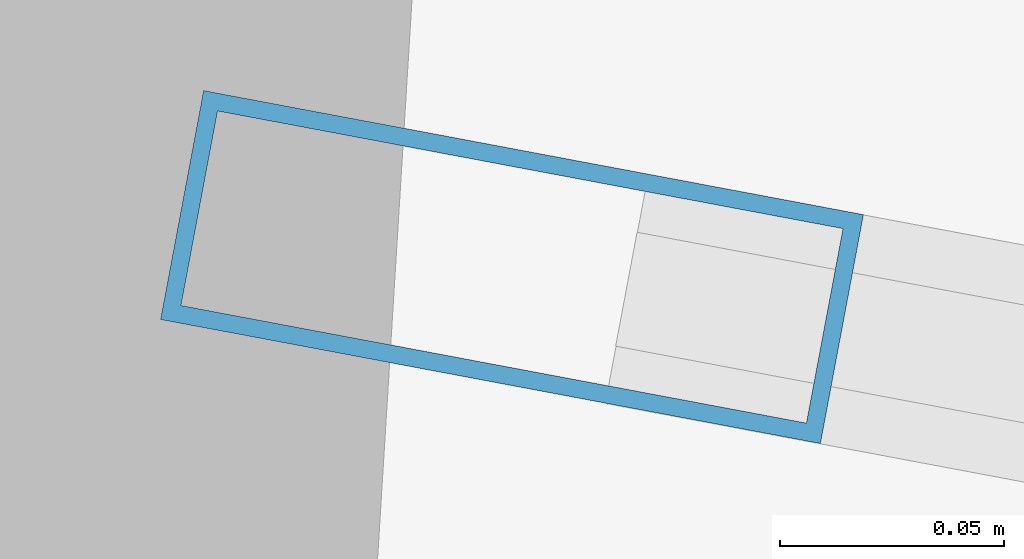
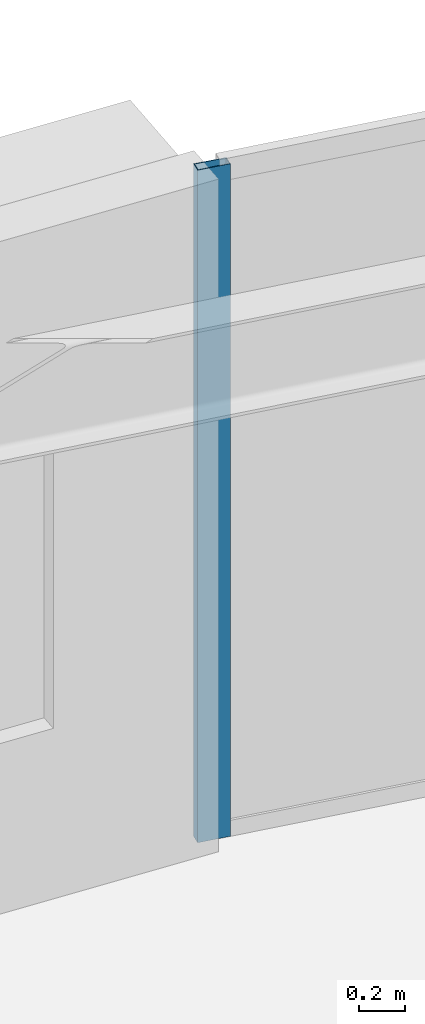
# One storey, part 5 of 19: 1 member, 1 element without a shape of its own.
"""IFC4 building model written with IfcOpenShell, lengths in metres."""

import ifcopenshell
import ifcopenshell.guid

model = None  # the IFC model being written
_history = None  # IfcOwnerHistory: only IFC2X3 demands one
_inside = {}  # id of a spatial element -> (the spatial element, [elements in it])
_under = {}  # id of a project, library or spatial element -> (it, [spatial elements below it])
_declared = {}  # id of a project -> (the project, [libraries it declares])
_typed = {}  # id of a type object -> (the type object, [elements of that type])
_made_of = {}  # id of a material, layer set ... -> (it, [elements and type objects made of it])


def new_model(schema):
    """Start an empty IFC model of exactly this schema.

    Asked for "IFC4X3", IfcOpenShell would pick the latest addendum, in which some entities
    have other attributes; the version numbers below select the first issue.
    IFC2X3 requires an IfcOwnerHistory on every rooted entity: one is made here for all.
    """
    global model, _history
    if schema == "IFC4X3":
        model = ifcopenshell.file(schema_version=(4, 3, 0, 0))
    else:
        model = ifcopenshell.file(schema=schema)
    _inside.clear()
    _under.clear()
    _declared.clear()
    _typed.clear()
    _made_of.clear()
    _history = None
    if model.schema == "IFC2X3":
        org = make("IfcOrganization", Name="unknown")
        user = make(
            "IfcPersonAndOrganization",
            ThePerson=make("IfcPerson", FamilyName="unknown"),
            TheOrganization=org,
        )
        app = make(
            "IfcApplication",
            ApplicationDeveloper=org,
            Version="unknown",
            ApplicationFullName="unknown",
            ApplicationIdentifier="unknown",
        )
        _history = make(
            "IfcOwnerHistory",
            OwningUser=user,
            OwningApplication=app,
            ChangeAction="ADDED",
            CreationDate=0,
        )
    return model


def make(cls, **values):
    """One entity of the class cls with the attributes given. An attribute that is None is left unset."""
    return model.create_entity(
        cls, **{name: value for name, value in values.items() if value is not None}
    )


def rooted(cls, **values):
    """An entity with a GlobalId (a new one), such as an element, a storey or a relation."""
    return make(cls, GlobalId=ifcopenshell.guid.new(), OwnerHistory=_history, **values)


def si_unit(unit_type, name, prefix=None):
    """IfcSIUnit, for example si_unit("LENGTHUNIT", "METRE", prefix="MILLI")."""
    return make("IfcSIUnit", UnitType=unit_type, Prefix=prefix, Name=name)


def assignment(units):
    """IfcUnitAssignment: the units of a project."""
    return None if units is None else make("IfcUnitAssignment", Units=units)


def point(xyz):
    """IfcCartesianPoint."""
    return None if xyz is None else make("IfcCartesianPoint", Coordinates=xyz)


def direction(xyz):
    """IfcDirection."""
    return None if xyz is None else make("IfcDirection", DirectionRatios=xyz)


def frame(location, z_axis=None, x_axis=None):
    """IfcAxis2Placement3D, a coordinate frame: its origin and axes. An axis left out is left unset."""
    return make(
        "IfcAxis2Placement3D",
        Location=point(location),
        Axis=direction(z_axis),
        RefDirection=direction(x_axis),
    )


def frame_2d(location, x_axis=None):
    """IfcAxis2Placement2D, a coordinate frame in the plane: its origin and x axis."""
    return make(
        "IfcAxis2Placement2D", Location=point(location), RefDirection=direction(x_axis)
    )


def origin():
    """The frame at (0, 0, 0) with its axes left unset."""
    return frame((0.0, 0.0, 0.0))


def origin_2d():
    """The frame at (0, 0) in the plane with its x axis left unset."""
    return frame_2d((0.0, 0.0))


def place(relative_to, where):
    """IfcLocalPlacement: puts the frame where relative to a parent placement (None: the world)."""
    return make(
        "IfcLocalPlacement", PlacementRelTo=relative_to, RelativePlacement=where
    )


def context(
    kind, dimensions, precision=None, world=None, true_north=None, identifier=None
):
    """IfcGeometricRepresentationContext, for example the 3D "Model" context."""
    return make(
        "IfcGeometricRepresentationContext",
        ContextIdentifier=identifier,
        ContextType=kind,
        CoordinateSpaceDimension=dimensions,
        Precision=precision,
        WorldCoordinateSystem=world,
        TrueNorth=true_north,
    )


def subcontext(parent, identifier, kind, view, scale=None):
    """IfcGeometricRepresentationSubContext, for example "Body" below "Model"."""
    return make(
        "IfcGeometricRepresentationSubContext",
        ContextIdentifier=identifier,
        ContextType=kind,
        ParentContext=parent,
        TargetScale=scale,
        TargetView=view,
    )


def project(units=None, contexts=None):
    """IfcProject with its units and contexts."""
    return rooted(
        "IfcProject",
        Name="project",
        RepresentationContexts=contexts,
        UnitsInContext=assignment(units),
    )


def spatial(cls, under=None, at=None, **own):
    """A site, building, storey or space (cls), placed at a placement, below another one or the project."""
    s = rooted(cls, ObjectPlacement=at, **own)
    if under is not None:
        _under.setdefault(under.id(), (under, []))[1].append(s)
    return s


def profile(cls, at=None, kind="AREA", **sizes):
    """A parametric profile (cls). Its sizes go by their IFC names, for example OverallWidth=200.0."""
    return make(cls, ProfileType=kind, Position=at, **sizes)


def hollow_rectangle(**sizes):
    """IfcRectangleHollowProfileDef."""
    return profile("IfcRectangleHollowProfileDef", **sizes)


def extrude(swept, where, along, depth):
    """IfcExtrudedAreaSolid: the profile swept, set in the frame where, extruded along a direction by depth."""
    return make(
        "IfcExtrudedAreaSolid",
        SweptArea=swept,
        Position=where,
        ExtrudedDirection=direction(along),
        Depth=depth,
    )


def shape(context_of_items, identifier, shape_type, items):
    """IfcShapeRepresentation: the items that make up one representation, for example the "Body"."""
    return make(
        "IfcShapeRepresentation",
        ContextOfItems=context_of_items,
        RepresentationIdentifier=identifier,
        RepresentationType=shape_type,
        Items=items,
    )


def source(mapping_origin, context_of_items, identifier, shape_type, items):
    """IfcRepresentationMap: a shape defined once, which mapped items show again and again."""
    return make(
        "IfcRepresentationMap",
        MappingOrigin=mapping_origin,
        MappedRepresentation=shape(context_of_items, identifier, shape_type, items),
    )


def transform(
    local_origin,
    x_axis=None,
    y_axis=None,
    z_axis=None,
    scale=None,
    scale2=None,
    scale3=None,
    uniform=True,
):
    """IfcCartesianTransformationOperator3D, or its non-uniform kind. x_axis, y_axis, z_axis: its Axis1, 2, 3."""
    if uniform:
        return make(
            "IfcCartesianTransformationOperator3D",
            Axis1=direction(x_axis),
            Axis2=direction(y_axis),
            LocalOrigin=point(local_origin),
            Scale=scale,
            Axis3=direction(z_axis),
        )
    return make(
        "IfcCartesianTransformationOperator3DnonUniform",
        Axis1=direction(x_axis),
        Axis2=direction(y_axis),
        LocalOrigin=point(local_origin),
        Scale=scale,
        Axis3=direction(z_axis),
        Scale2=scale2,
        Scale3=scale3,
    )


def mapped(mapping_source, mapping_target):
    """IfcMappedItem: shows the shape of a source again, moved by a transform."""
    return make(
        "IfcMappedItem", MappingSource=mapping_source, MappingTarget=mapping_target
    )


def material(Name=None, Category=None):
    """IfcMaterial."""
    return make("IfcMaterial", Name=Name, Category=Category)


def layer(
    of_material, thickness, ventilated=None, Name=None, Category=None, Priority=None
):
    """IfcMaterialLayer: one layer of a wall or slab, of a material (None: an air gap)."""
    return make(
        "IfcMaterialLayer",
        Material=of_material,
        LayerThickness=thickness,
        IsVentilated=ventilated,
        Name=Name,
        Category=Category,
        Priority=Priority,
    )


def layer_set(layers, Name=None):
    """IfcMaterialLayerSet."""
    return make("IfcMaterialLayerSet", MaterialLayers=layers, LayerSetName=Name)


def material_profile(
    of_material, cross_section, Name=None, Category=None, Priority=None
):
    """IfcMaterialProfile: a cross section and its material."""
    return make(
        "IfcMaterialProfile",
        Name=Name,
        Material=of_material,
        Profile=cross_section,
        Priority=Priority,
        Category=Category,
    )


def profile_set(profiles, Name=None, composite=None):
    """IfcMaterialProfileSet."""
    return make(
        "IfcMaterialProfileSet",
        Name=Name,
        MaterialProfiles=profiles,
        CompositeProfile=composite,
    )


def made_of(thing, what):
    """Note that an element or type object is made of a material, layer set ...; save() writes the relation."""
    if what is not None:
        _made_of.setdefault(what.id(), (what, []))[1].append(thing)
    return thing


def type_object(cls, material=None, **own):
    """A type object (cls), such as IfcWallType, which elements share."""
    return made_of(rooted(cls, **own), material)


def element(
    cls,
    number,
    at=None,
    inside=None,
    cuts=None,
    type_object=None,
    material=None,
    context=None,
    identifier="Body",
    shape_type=None,
    held_by="IfcProductDefinitionShape",
    body=None,
    shapes=None,
    **own,
):
    """One element of the class cls, such as IfcWall. Its Tag is "e" and its number.

    at: its placement. inside: the storey or other place that contains it. cuts: it is an
    opening in that element (IfcRelVoidsElement). A single representation is given by context,
    identifier, shape_type and body (its items); several are given by shapes. held_by: the class
    of the entity that holds the representations. save() writes the other relations.
    """
    e = rooted(cls, Tag="e%d" % number, ObjectPlacement=at, **own)
    if body is not None:
        shapes = [shape(context, identifier, shape_type, body)]
    if shapes is not None:
        e.Representation = make(held_by, Representations=shapes)
    if inside is not None:
        _inside.setdefault(inside.id(), (inside, []))[1].append(e)
    if cuts is not None:
        rooted(
            "IfcRelVoidsElement", RelatingBuildingElement=cuts, RelatedOpeningElement=e
        )
    if type_object is not None:
        _typed.setdefault(type_object.id(), (type_object, []))[1].append(e)
    return made_of(e, material)


def aggregate(whole, parts):
    """IfcRelAggregates: a whole, such as a stair, and the parts it consists of."""
    return rooted("IfcRelAggregates", RelatingObject=whole, RelatedObjects=parts)


def save(model, path):
    """Write the relations noted so far, then the file.

    IfcRelAggregates (storeys below a building ...), IfcRelContainedInSpatialStructure (elements
    in a storey), IfcRelDefinesByType, IfcRelAssociatesMaterial and IfcRelDeclares: one each for
    every whole, place, type object, material and project.
    """
    for whole, parts in _under.values():
        aggregate(whole, parts)
    for where, things in _inside.values():
        rooted(
            "IfcRelContainedInSpatialStructure",
            RelatedElements=things,
            RelatingStructure=where,
        )
    for kind, things in _typed.values():
        rooted("IfcRelDefinesByType", RelatedObjects=things, RelatingType=kind)
    for what, things in _made_of.values():
        rooted("IfcRelAssociatesMaterial", RelatedObjects=things, RelatingMaterial=what)
    for by, libraries in _declared.values():
        rooted("IfcRelDeclares", RelatingContext=by, RelatedDefinitions=libraries)
    model.write(path)


model = new_model("IFC4")

# Units and contexts
model_context = context("Model", 3, precision=1e-05, world=origin(), true_north=direction((0.0, 1.0)))
body_context = subcontext(model_context, "Body", "Model", "MODEL_VIEW")
ifc_project = project(units=[si_unit("LENGTHUNIT", "METRE"), si_unit("AREAUNIT", "SQUARE_METRE"), si_unit("VOLUMEUNIT", "CUBIC_METRE"), si_unit("PLANEANGLEUNIT", "RADIAN"), si_unit("MASSUNIT", "GRAM", prefix="KILO")], contexts=[model_context])

# Site, building, storey
site_placement = place(None, origin())
site = spatial("IfcSite", under=ifc_project, at=site_placement, CompositionType="ELEMENT")
building_placement = place(site_placement, origin())
building = spatial("IfcBuilding", under=site, at=building_placement, Name="Linh Dai School and Residence Tower", CompositionType="ELEMENT")
storey_placement = place(building_placement, frame((0.0, 0.0, 339.199951171875)))
storey = spatial("IfcBuildingStorey", under=building, at=storey_placement, Name="L84", CompositionType="ELEMENT", Elevation=339.199951171875)

# Curtain wall, member
ifc_material_1 = material(Name="Aluminium Anodised Curtain Wall", Category="aluminium")
ifc_layer = layer(ifc_material_1, 0.14990234375)
ifc_layer_set = layer_set([ifc_layer], Name="Aluminium Anodised Curtain Wall")
curtain_wall_type = type_object("IfcCurtainWallType", Name="CW-SYS-4", PredefinedType="USERDEFINED", material=ifc_layer_set)
curtain_wall_placement = place(storey_placement, origin())
curtain_wall = element("IfcCurtainWall", 1, at=curtain_wall_placement, inside=storey, type_object=curtain_wall_type, Name="L84 CW4 Curtain Wall 09", ObjectType="RIBBON CURTAIN WALL", PredefinedType="USERDEFINED")
ifc_material_2 = material(Name="Aluminium Alloy 6063-T6", Category="aluminium")
ifc_material_profile = material_profile(ifc_material_2, hollow_rectangle(XDim=0.052001953125, YDim=0.14990234375, WallThickness=0.00390625, at=origin_2d()), Name="RHS 150x52x4")
ifc_profile_set = profile_set([ifc_material_profile], Name="Aluminium Alloy 6063-T6")
member_type = type_object("IfcMemberType", Name="CW-SYS-4-MUL", PredefinedType="MULLION", material=ifc_profile_set)
shared_shape = source(origin(), body_context, "Body", "SweptSolid", [
    extrude(hollow_rectangle(XDim=0.052001953125, YDim=0.14990234375, WallThickness=0.00390625, at=origin_2d()), origin(), (0.0, 0.0, 1.0), 3.550048828125),
])
member_placement = place(storey_placement, frame((39.217041015625, 42.728515625, 0.0), z_axis=(0.0, 0.0, 1.0), x_axis=(0.184784564405, 0.982779051851, 0.0)))
member = element("IfcMember", 2, at=member_placement, type_object=member_type, Name="CW4 mullion 1", PredefinedType="MULLION", context=body_context, shape_type="MappedRepresentation", body=[
    mapped(shared_shape, transform((0.0, 0.0, 0.0), x_axis=(1.0, 0.0, 0.0), y_axis=(0.0, 1.0, 0.0), z_axis=(0.0, 0.0, 1.0), scale=1.0)),
])
aggregate(curtain_wall, [member])

save(model, "model.ifc")
